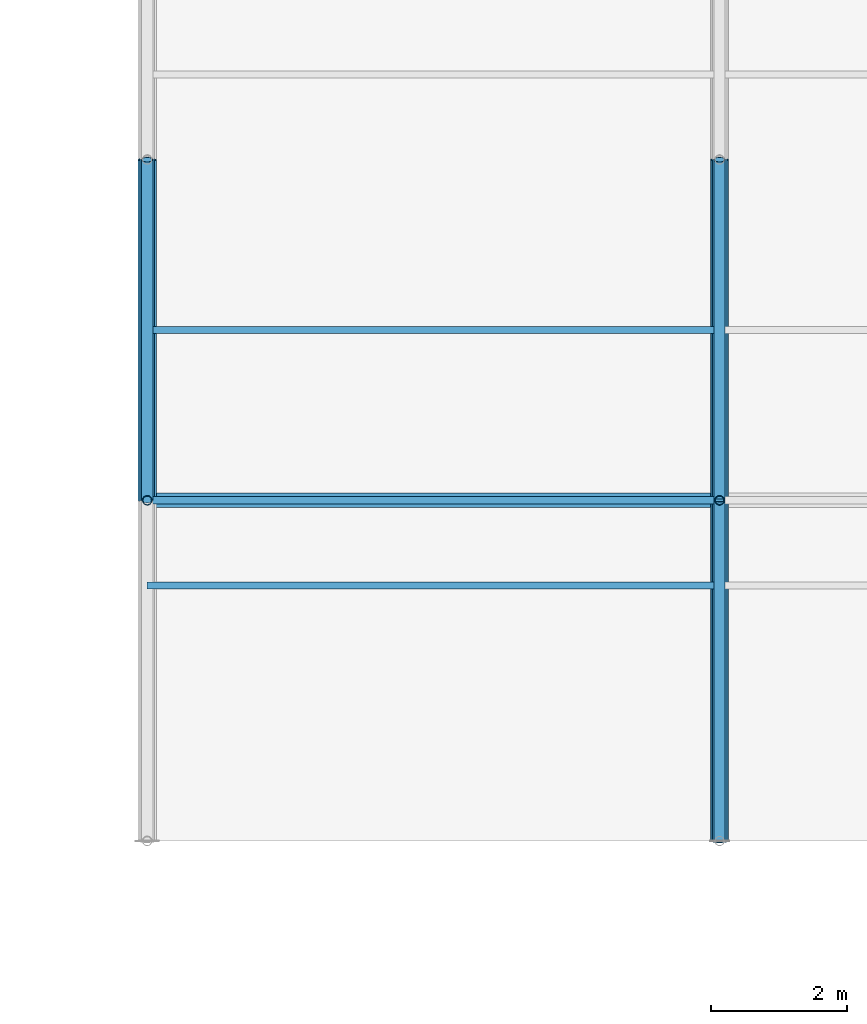
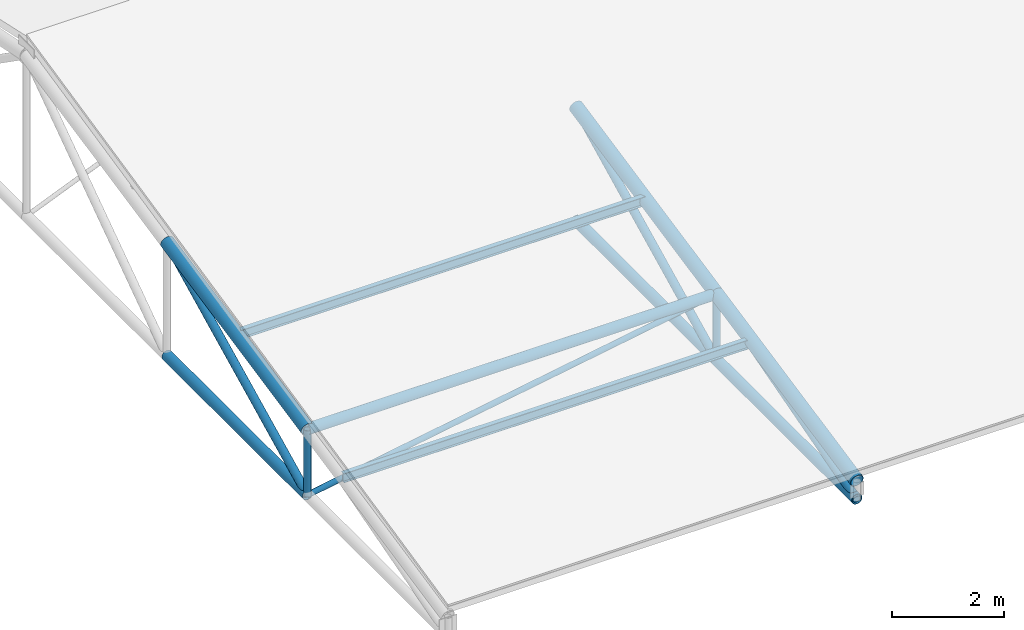
# One storey, part 4 of 194: 13 members, 2 beams.
"""IFC4 building model written with IfcOpenShell, lengths in metres."""

from ifc_helpers import new_model, si_unit, direction, frame, origin, origin_2d, place, context, subcontext, project, spatial, hollow_circle, i_section, extrude, material, material_profile, profile_set, type_object, element, save


model = new_model("IFC4")

# Units and contexts
model_context = context("Model", 3, precision=1e-05, world=origin(), true_north=direction((0.0, 1.0)))
body_context = subcontext(model_context, "Body", "Model", "MODEL_VIEW")
ifc_project = project(units=[si_unit("LENGTHUNIT", "METRE"), si_unit("AREAUNIT", "SQUARE_METRE"), si_unit("VOLUMEUNIT", "CUBIC_METRE"), si_unit("PLANEANGLEUNIT", "RADIAN"), si_unit("MASSUNIT", "GRAM", prefix="KILO")], contexts=[model_context])

# Site, building, storey
site_placement = place(None, origin())
site = spatial("IfcSite", under=ifc_project, at=site_placement, CompositionType="ELEMENT")
building_placement = place(site_placement, origin())
building = spatial("IfcBuilding", under=site, at=building_placement, Name="Kazenagashi Tramway Depot", CompositionType="ELEMENT")
storey_placement = place(building_placement, frame((0.0, 0.0, 23.7)))
storey = spatial("IfcBuildingStorey", under=building, at=storey_placement, Name="ROOF", CompositionType="ELEMENT", Elevation=23.7)

# Beams
ifc_material_1 = material(Name="Steel SN400B", Category="steel")
ifc_material_profile_1 = material_profile(ifc_material_1, i_section(OverallWidth=0.1, OverallDepth=0.2, WebThickness=0.0055, FlangeThickness=0.008, at=origin_2d()), Name="H-200x100x5.5x8")
ifc_profile_set_1 = profile_set([ifc_material_profile_1], Name="Steel SN400B")
beam_type = type_object("IfcBeamType", Name="PR-01", PredefinedType="USERDEFINED", material=ifc_profile_set_1)
for number, where, z_axis, x_axis, name in (
    (1, (44.8, 73.75, -12.955), (1.0, 0.0, 0.0), (0.0, 1.0, 0.0), "Beam PR-01 BM-2018"),
    (2, (44.8, 77.5, -12.13), (1.0, 0.0, 0.0), (0.0, 1.0, 0.0), "Beam PR-01 BM-2036"),
):
    element("IfcBeam", number, at=place(storey_placement, frame(where, z_axis=z_axis, x_axis=x_axis)), inside=storey, type_object=beam_type, Name=name, ObjectType="PURLIN", PredefinedType="USERDEFINED", context=body_context, shape_type="SweptSolid", body=[
        extrude(i_section(OverallWidth=0.1, OverallDepth=0.2, WebThickness=0.0055, FlangeThickness=0.008, at=origin_2d()), origin(), (0.0, 0.0, 1.0), 8.4),
    ])

# Members
ifc_material_2 = material(Name="Steel STK490", Category="steel")
ifc_material_profile_2 = material_profile(ifc_material_2, hollow_circle(Radius=0.1337, WallThickness=0.0093, at=origin_2d()), Name="CHS-267.4x9.3")
ifc_profile_set_2 = profile_set([ifc_material_profile_2], Name="Steel STK490")
member_type_1 = type_object("IfcMemberType", Name="TC-01", PredefinedType="CHORD", material=ifc_profile_set_2)
member_1_placement = place(storey_placement, frame((44.8, 75.0, -12.667), z_axis=(0.0, 0.979279174591, 0.202514933305), x_axis=(-1.0, 0.0, 0.0)))
element("IfcMember", 3, at=member_1_placement, inside=storey, type_object=member_type_1, Name="Tubular Space Frame TC-01 MEM-0004", PredefinedType="CHORD", context=body_context, shape_type="SweptSolid", body=[
    extrude(hollow_circle(Radius=0.1337, WallThickness=0.0093, at=origin_2d()), origin(), (0.0, 0.0, 1.0), 5.105796),
])
member_2_placement = place(storey_placement, frame((53.2, 70.0, -13.7), z_axis=(0.0, 0.979317999984, 0.202327098797), x_axis=(-1.0, 0.0, 0.0)))
element("IfcMember", 4, at=member_2_placement, inside=storey, type_object=member_type_1, Name="Tubular Space Frame TC-01 MEM-0062", PredefinedType="CHORD", context=body_context, shape_type="SweptSolid", body=[
    extrude(hollow_circle(Radius=0.1337, WallThickness=0.0093, at=origin_2d()), origin(), (0.0, 0.0, 1.0), 5.105594),
])
member_3_placement = place(storey_placement, frame((53.2, 75.0, -12.667), z_axis=(0.0, 0.979279174591, 0.202514933305), x_axis=(-1.0, 0.0, 0.0)))
element("IfcMember", 5, at=member_3_placement, inside=storey, type_object=member_type_1, Name="Tubular Space Frame TC-01 MEM-0065", PredefinedType="CHORD", context=body_context, shape_type="SweptSolid", body=[
    extrude(hollow_circle(Radius=0.1337, WallThickness=0.0093, at=origin_2d()), origin(), (0.0, 0.0, 1.0), 5.105796),
])
ifc_material_profile_3 = material_profile(ifc_material_2, hollow_circle(Radius=0.10815, WallThickness=0.0082, at=origin_2d()), Name="CHS-216.3x8.2")
ifc_profile_set_3 = profile_set([ifc_material_profile_3], Name="Steel STK490")
member_type_2 = type_object("IfcMemberType", Name="TC-02", PredefinedType="CHORD", material=ifc_profile_set_3)
member_4_placement = place(storey_placement, frame((44.8, 75.0, -14.1), z_axis=(0.0, 1.0, 0.0), x_axis=(-1.0, 0.0, 0.0)))
element("IfcMember", 6, at=member_4_placement, inside=storey, type_object=member_type_2, Name="Tubular Space Frame TC-02 MEM-0005", PredefinedType="CHORD", context=body_context, shape_type="SweptSolid", body=[
    extrude(hollow_circle(Radius=0.10815, WallThickness=0.0082, at=origin_2d()), origin(), (0.0, 0.0, 1.0), 5.0),
])
member_5_placement = place(storey_placement, frame((44.8, 75.0, -12.667), z_axis=(1.0, 0.0, 0.0), x_axis=(0.0, 1.0, 0.0)))
element("IfcMember", 7, at=member_5_placement, inside=storey, type_object=member_type_2, Name="Tubular Space Frame TC-02 MEM-0026", PredefinedType="CHORD", context=body_context, shape_type="SweptSolid", body=[
    extrude(hollow_circle(Radius=0.10815, WallThickness=0.0082, at=origin_2d()), origin(), (0.0, 0.0, 1.0), 8.4),
])
for number, where, z_axis, x_axis, name in (
    (8, (53.2, 70.0, -14.1), (0.0, 1.0, 0.0), (-1.0, 0.0, 0.0), "Tubular Space Frame TC-02 MEM-0063"),
    (9, (53.2, 75.0, -14.1), (0.0, 1.0, 0.0), (-1.0, 0.0, 0.0), "Tubular Space Frame TC-02 MEM-0066"),
):
    element("IfcMember", number, at=place(storey_placement, frame(where, z_axis=z_axis, x_axis=x_axis)), inside=storey, type_object=member_type_2, Name=name, PredefinedType="CHORD", context=body_context, shape_type="SweptSolid", body=[
        extrude(hollow_circle(Radius=0.10815, WallThickness=0.0082, at=origin_2d()), origin(), (0.0, 0.0, 1.0), 5.0),
    ])
ifc_material_profile_4 = material_profile(ifc_material_2, hollow_circle(Radius=0.0826, WallThickness=0.0071, at=origin_2d()), Name="CHS-165.2x7.1")
ifc_profile_set_4 = profile_set([ifc_material_profile_4], Name="Steel STK490")
member_type_3 = type_object("IfcMemberType", Name="TS-01", PredefinedType="STRUT", material=ifc_profile_set_4)
member_6_placement = place(storey_placement, frame((44.8, 75.0, -14.1), z_axis=(0.0, 0.896782162482, 0.442472318969), x_axis=(-1.0, 0.0, 0.0)))
element("IfcMember", 10, at=member_6_placement, inside=storey, type_object=member_type_3, Name="Tubular Space Frame TS-01 MEM-0006", PredefinedType="STRUT", context=body_context, shape_type="SweptSolid", body=[
    extrude(hollow_circle(Radius=0.0826, WallThickness=0.0071, at=origin_2d()), origin(), (0.0, 0.0, 1.0), 5.57549),
])
member_7_placement = place(storey_placement, frame((53.2, 70.0, -14.1), z_axis=(0.0, 0.961298717795, 0.27550821252), x_axis=(-1.0, 0.0, 0.0)))
element("IfcMember", 11, at=member_7_placement, inside=storey, type_object=member_type_3, Name="Tubular Space Frame TS-01 MEM-0064", PredefinedType="STRUT", context=body_context, shape_type="SweptSolid", body=[
    extrude(hollow_circle(Radius=0.0826, WallThickness=0.0071, at=origin_2d()), origin(), (0.0, 0.0, 1.0), 5.201297),
])
member_8_placement = place(storey_placement, frame((53.2, 75.0, -14.1), z_axis=(0.0, 0.896782162482, 0.442472318969), x_axis=(-1.0, 0.0, 0.0)))
element("IfcMember", 12, at=member_8_placement, inside=storey, type_object=member_type_3, Name="Tubular Space Frame TS-01 MEM-0067", PredefinedType="STRUT", context=body_context, shape_type="SweptSolid", body=[
    extrude(hollow_circle(Radius=0.0826, WallThickness=0.0071, at=origin_2d()), origin(), (0.0, 0.0, 1.0), 5.57549),
])
ifc_material_profile_5 = material_profile(ifc_material_2, hollow_circle(Radius=0.0699, WallThickness=0.0066, at=origin_2d()), Name="CHS-139.8x6.6")
ifc_profile_set_5 = profile_set([ifc_material_profile_5], Name="Steel STK490")
member_type_4 = type_object("IfcMemberType", Name="TS-02", PredefinedType="STRUT", material=ifc_profile_set_5)
for number, where, z_axis, x_axis, name in (
    (13, (44.8, 75.0, -14.1), (0.0, 0.0, 1.0), (1.0, 0.0, 0.0), "Tubular Space Frame TS-02 MEM-0020"),
    (14, (53.2, 75.0, -14.1), (0.0, 0.0, 1.0), (1.0, 0.0, 0.0), "Tubular Space Frame TS-02 MEM-0081"),
):
    element("IfcMember", number, at=place(storey_placement, frame(where, z_axis=z_axis, x_axis=x_axis)), inside=storey, type_object=member_type_4, Name=name, PredefinedType="STRUT", context=body_context, shape_type="SweptSolid", body=[
        extrude(hollow_circle(Radius=0.0699, WallThickness=0.0066, at=origin_2d()), origin(), (0.0, 0.0, 1.0), 1.433),
    ])
ifc_material_3 = material(Name="Steel STK400", Category="steel")
ifc_material_profile_6 = material_profile(ifc_material_3, hollow_circle(Radius=0.05715, WallThickness=0.0045, at=origin_2d()), Name="CHS-114.3x4.5")
ifc_profile_set_6 = profile_set([ifc_material_profile_6], Name="Steel STK400")
member_type_5 = type_object("IfcMemberType", Name="TS-03", PredefinedType="STRUT", material=ifc_profile_set_6)
member_9_placement = place(storey_placement, frame((44.8, 75.0, -14.1), z_axis=(0.985758734117, 0.0, 0.168165745951), x_axis=(0.0, 1.0, 0.0)))
element("IfcMember", 15, at=member_9_placement, inside=storey, type_object=member_type_5, Name="Tubular Space Frame TS-03 MEM-0027", PredefinedType="STRUT", context=body_context, shape_type="SweptSolid", body=[
    extrude(hollow_circle(Radius=0.05715, WallThickness=0.0045, at=origin_2d()), origin(), (0.0, 0.0, 1.0), 8.521355),
])

save(model, "model.ifc")
